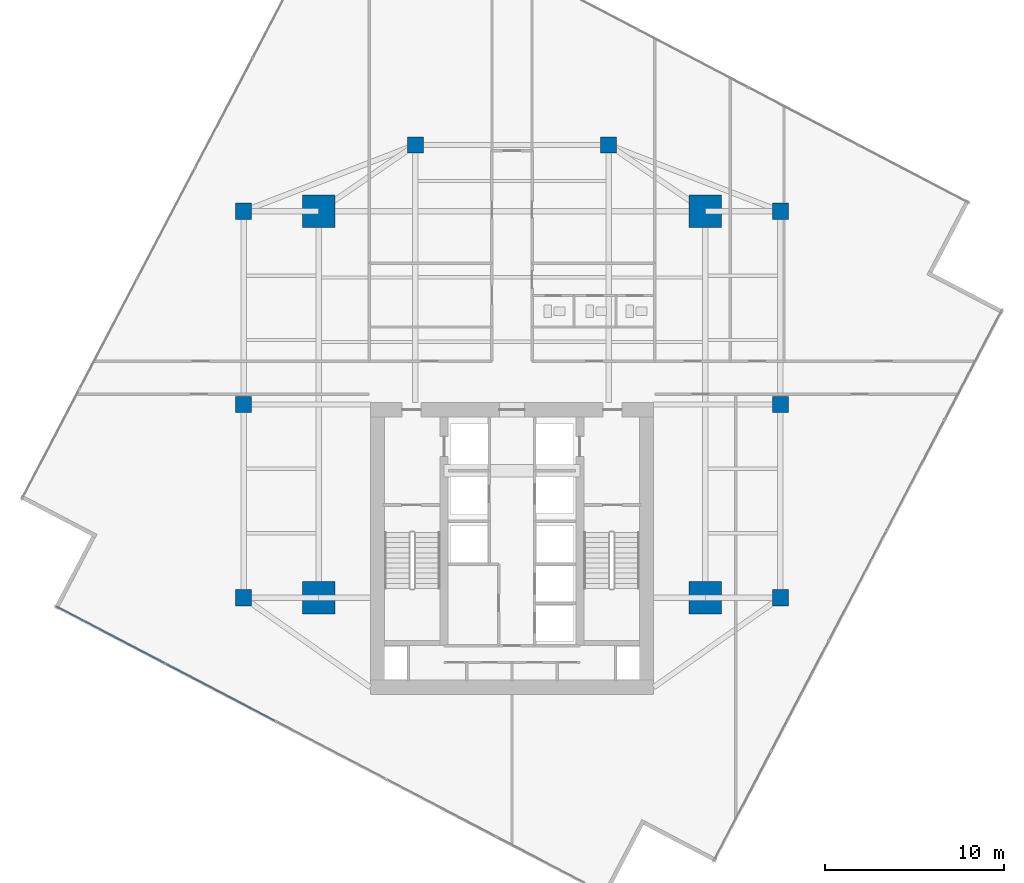
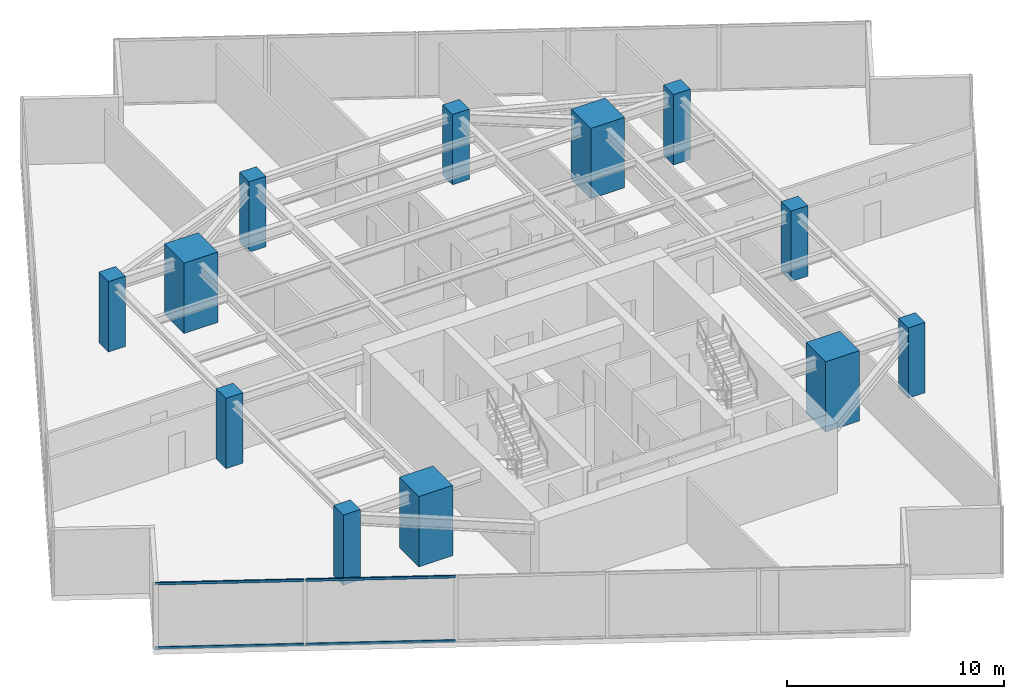
# One storey, part 1 of 27: 12 columns, 4 members, 1 element without a shape of its own.
"""IFC4 building model written with IfcOpenShell, lengths in metres."""

from ifc_helpers import new_model, si_unit, direction, frame, origin, origin_2d, place, context, subcontext, project, spatial, rectangle, hollow_rectangle, extrude, source, transform, mapped, material, material_profile, profile_set, type_object, type_shapes, element, aggregate, save


model = new_model("IFC4")

# Units and contexts
model_context = context("Model", 3, precision=1e-05, world=origin(), true_north=direction((0.0, 1.0)))
body_context = subcontext(model_context, "Body", "Model", "MODEL_VIEW")
ifc_project = project(units=[si_unit("LENGTHUNIT", "METRE"), si_unit("AREAUNIT", "SQUARE_METRE"), si_unit("VOLUMEUNIT", "CUBIC_METRE"), si_unit("PLANEANGLEUNIT", "RADIAN"), si_unit("MASSUNIT", "GRAM", prefix="KILO")], contexts=[model_context])

# Site, building, storey
site_placement = place(None, origin())
site = spatial("IfcSite", under=ifc_project, at=site_placement, CompositionType="ELEMENT")
building_placement = place(site_placement, origin())
building = spatial("IfcBuilding", under=site, at=building_placement, Name="Krantzveldt Concourse Tower", CompositionType="ELEMENT")
storey_placement = place(building_placement, frame((0.0, 0.0, 158.050048828125)))
storey = spatial("IfcBuildingStorey", under=building, at=storey_placement, Name="L38", CompositionType="ELEMENT", Elevation=158.050048828125)

# Columns
ifc_material_1 = material(Name="Concrete C50/60", Category="concrete")
ifc_material_profile_1 = material_profile(ifc_material_1, rectangle(XDim=1.800048828125, YDim=1.800048828125, at=origin_2d()), Name="Concrete C50/60", Category="concrete")
ifc_profile_set_1 = profile_set([ifc_material_profile_1], Name="Concrete C50/60 - RC 1800x1800")
column_type_1 = type_object("IfcColumnType", Name="COL-MC-1800", PredefinedType="USERDEFINED", material=ifc_profile_set_1)
shared_shape_1 = source(origin(), body_context, "Body", "SweptSolid", [
    extrude(rectangle(XDim=1.800048828125, YDim=1.800048828125, at=origin_2d()), origin(), (0.0, 0.0, 1.0), 3.949951171875),
])
type_shapes(column_type_1, [shared_shape_1])
for number, where, z_axis, x_axis, name in (
    (1, (25.199951171875, 15.89990234375, 0.0), (0.0, 0.0, 1.0), (1.0, 0.0, 0.0), "MC-SW-L38"),
    (2, (46.800048828125, 15.89990234375, 0.0), (0.0, 0.0, 1.0), (1.0, 0.0, 0.0), "MC-SE-L38"),
    (3, (46.800048828125, 37.5, 0.0), (0.0, 0.0, 1.0), (1.0, 0.0, 0.0), "MC-NE-L38"),
    (4, (25.199951171875, 37.5, 0.0), (0.0, 0.0, 1.0), (1.0, 0.0, 0.0), "MC-NW-L38"),
):
    element("IfcColumn", number, at=place(storey_placement, frame(where, z_axis=z_axis, x_axis=x_axis)), inside=storey, type_object=column_type_1, Name=name, ObjectType="MEGA COLUMN", PredefinedType="USERDEFINED", context=body_context, shape_type="MappedRepresentation", body=[
        mapped(shared_shape_1, transform((0.0, 0.0, 0.0), x_axis=(1.0, 0.0, 0.0), y_axis=(0.0, 1.0, 0.0), z_axis=(0.0, 0.0, 1.0), scale=1.0)),
    ])
ifc_material_profile_2 = material_profile(ifc_material_1, rectangle(XDim=0.89990234375, YDim=0.89990234375, at=origin_2d()), Name="Concrete C50/60", Category="concrete")
ifc_profile_set_2 = profile_set([ifc_material_profile_2], Name="Concrete C50/60 - RC 900x900")
column_type_2 = type_object("IfcColumnType", Name="COL-C-Z3", PredefinedType="COLUMN", material=ifc_profile_set_2)
shared_shape_2 = source(origin(), body_context, "Body", "SweptSolid", [
    extrude(rectangle(XDim=0.89990234375, YDim=0.89990234375, at=origin_2d()), origin(), (0.0, 0.0, 1.0), 3.949951171875),
])
type_shapes(column_type_2, [shared_shape_2])
for number, where, z_axis, x_axis, name in (
    (5, (21.0, 15.89990234375, 0.0), (0.0, 0.0, 1.0), (1.0, 0.0, 0.0), "PC-R01-L38"),
    (6, (21.0, 26.699951171875, 0.0), (0.0, 0.0, 1.0), (1.0, 0.0, 0.0), "PC-R02-L38"),
    (7, (21.0, 37.5, 0.0), (0.0, 0.0, 1.0), (1.0, 0.0, 0.0), "PC-R03-L38"),
    (8, (30.60009765625, 41.199951171875, 0.0), (0.0, 0.0, 1.0), (1.0, 0.0, 0.0), "PC-R04-L38"),
    (9, (41.39990234375, 41.199951171875, 0.0), (0.0, 0.0, 1.0), (1.0, 0.0, 0.0), "PC-R05-L38"),
    (10, (51.0, 37.5, 0.0), (0.0, 0.0, 1.0), (1.0, 0.0, 0.0), "PC-R06-L38"),
    (11, (51.0, 26.699951171875, 0.0), (0.0, 0.0, 1.0), (1.0, 0.0, 0.0), "PC-R07-L38"),
    (12, (51.0, 15.89990234375, 0.0), (0.0, 0.0, 1.0), (1.0, 0.0, 0.0), "PC-R08-L38"),
):
    element("IfcColumn", number, at=place(storey_placement, frame(where, z_axis=z_axis, x_axis=x_axis)), inside=storey, type_object=column_type_2, Name=name, PredefinedType="COLUMN", context=body_context, shape_type="MappedRepresentation", body=[
        mapped(shared_shape_2, transform((0.0, 0.0, 0.0), x_axis=(1.0, 0.0, 0.0), y_axis=(0.0, 1.0, 0.0), z_axis=(0.0, 0.0, 1.0), scale=1.0)),
    ])

# Curtain wall, members
ifc_material_2 = material(Name="Anodised aluminium 6063-T6", Category="aluminium")
curtain_wall_type = type_object("IfcCurtainWallType", Name="CW3", PredefinedType="USERDEFINED", material=ifc_material_2)
curtain_wall_placement = place(storey_placement, origin())
curtain_wall = element("IfcCurtainWall", 13, at=curtain_wall_placement, inside=storey, type_object=curtain_wall_type, Name="CW-L38-F04", ObjectType="UNITISED CURTAIN WALL", PredefinedType="USERDEFINED")
ifc_material_profile_3 = material_profile(ifc_material_2, hollow_rectangle(XDim=0.070068359375, YDim=0.139892578125, WallThickness=0.0048828125, at=origin_2d()), Name="Anodised aluminium 6063-T6", Category="aluminium")
ifc_profile_set_3 = profile_set([ifc_material_profile_3], Name="Anodised aluminium 6063-T6 - ALU-TRAN 140x70x5")
member_type = type_object("IfcMemberType", Name="CW-TRN-150", PredefinedType="USERDEFINED", material=ifc_profile_set_3)
shared_shape_3 = source(origin(), body_context, "Body", "SweptSolid", [
    extrude(hollow_rectangle(XDim=0.070068359375, YDim=0.139892578125, WallThickness=0.0048828125, at=origin_2d()), origin(), (0.0, 0.0, 1.0), 6.85498046875),
])
member_1_placement = place(storey_placement, frame((10.53271484375, 15.411865234375, 0.034912109375), z_axis=(0.886004354252, -0.463676917957, 0.0), x_axis=(0.463676917957, 0.886004354252, 0.0)))
member_1 = element("IfcMember", 14, at=member_1_placement, type_object=member_type, Name="CW-Z34 transom 1.1", ObjectType="TRANSOM", PredefinedType="USERDEFINED", context=body_context, shape_type="MappedRepresentation", body=[
    mapped(shared_shape_3, transform((0.0, 0.0, 0.0), x_axis=(1.0, 0.0, 0.0), y_axis=(0.0, 1.0, 0.0), z_axis=(0.0, 0.0, 1.0), scale=1.0)),
])
member_2_placement = place(storey_placement, frame((10.53271484375, 15.411865234375, 3.635009765625), z_axis=(0.886004354252, -0.463676917957, 0.0), x_axis=(0.463676917957, 0.886004354252, 0.0)))
member_2 = element("IfcMember", 15, at=member_2_placement, type_object=member_type, Name="CW-Z34 transom 1.2", ObjectType="TRANSOM", PredefinedType="USERDEFINED", context=body_context, shape_type="MappedRepresentation", body=[
    mapped(shared_shape_3, transform((0.0, 0.0, 0.0), x_axis=(1.0, 0.0, 0.0), y_axis=(0.0, 1.0, 0.0), z_axis=(0.0, 0.0, 1.0), scale=1.0)),
])
shared_shape_4 = source(origin(), body_context, "Body", "SweptSolid", [
    extrude(hollow_rectangle(XDim=0.070068359375, YDim=0.139892578125, WallThickness=0.0048828125, at=origin_2d()), origin(), (0.0, 0.0, 1.0), 6.889892578125),
])
type_shapes(member_type, [shared_shape_3, shared_shape_4])
member_3_placement = place(storey_placement, frame((16.668212890625, 12.200927734375, 0.034912109375), z_axis=(0.885996544559, -0.46369184059, 0.0), x_axis=(0.46369184059, 0.885996544559, 0.0)))
member_3 = element("IfcMember", 16, at=member_3_placement, type_object=member_type, Name="CW-Z34 transom 2.1", ObjectType="TRANSOM", PredefinedType="USERDEFINED", context=body_context, shape_type="MappedRepresentation", body=[
    mapped(shared_shape_4, transform((0.0, 0.0, 0.0), x_axis=(1.0, 0.0, 0.0), y_axis=(0.0, 1.0, 0.0), z_axis=(0.0, 0.0, 1.0), scale=1.0)),
])
member_4_placement = place(storey_placement, frame((16.668212890625, 12.200927734375, 3.635009765625), z_axis=(0.885996544559, -0.46369184059, 0.0), x_axis=(0.46369184059, 0.885996544559, 0.0)))
member_4 = element("IfcMember", 17, at=member_4_placement, type_object=member_type, Name="CW-Z34 transom 2.2", ObjectType="TRANSOM", PredefinedType="USERDEFINED", context=body_context, shape_type="MappedRepresentation", body=[
    mapped(shared_shape_4, transform((0.0, 0.0, 0.0), x_axis=(1.0, 0.0, 0.0), y_axis=(0.0, 1.0, 0.0), z_axis=(0.0, 0.0, 1.0), scale=1.0)),
])
aggregate(curtain_wall, [member_1, member_2, member_3, member_4])

save(model, "model.ifc")
